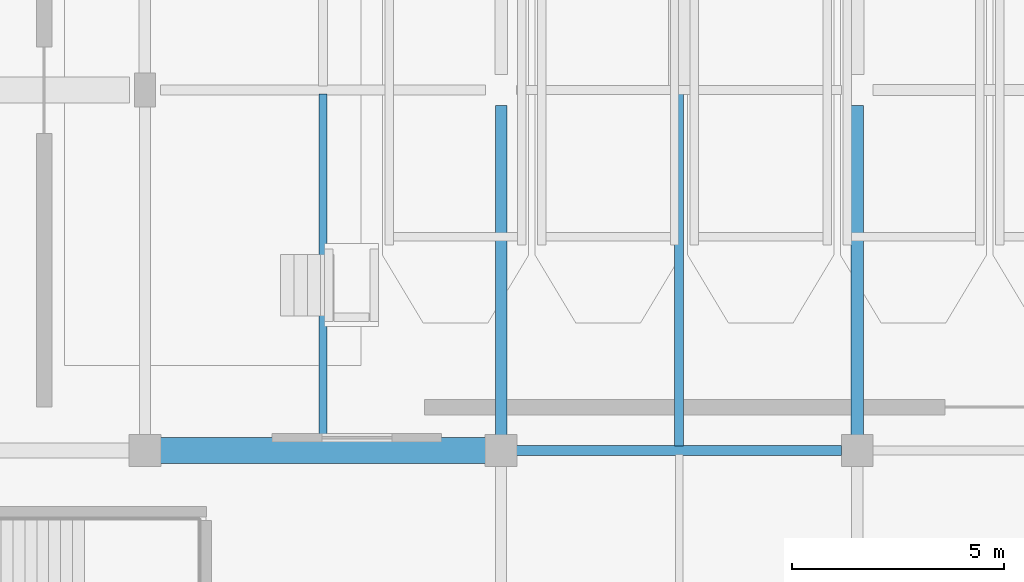
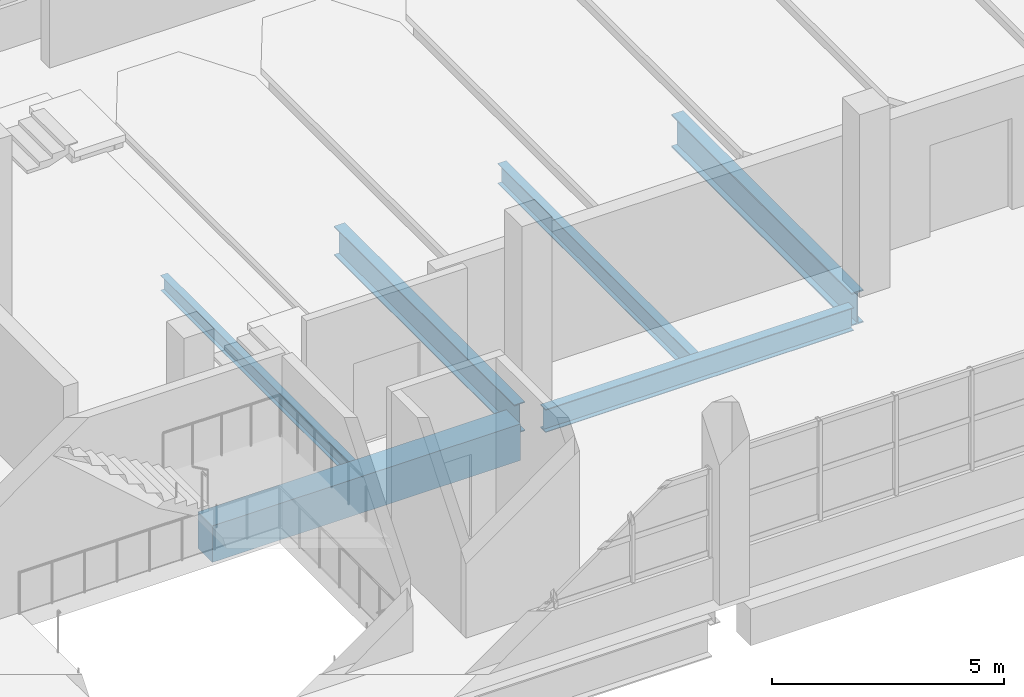
# One storey, part 54 of 117: 6 beams.
"""IFC4 building model written with IfcOpenShell, lengths in metres."""

from ifc_helpers import new_model, si_unit, direction, frame, origin, origin_2d, place, context, subcontext, project, spatial, rectangle, i_section, extrude, material, material_profile, profile_set, type_object, element, save


model = new_model("IFC4")

# Units and contexts
model_context = context("Model", 3, precision=1e-05, world=origin(), true_north=direction((0.0, 1.0)))
body_context = subcontext(model_context, "Body", "Model", "MODEL_VIEW")
ifc_project = project(units=[si_unit("LENGTHUNIT", "METRE"), si_unit("AREAUNIT", "SQUARE_METRE"), si_unit("VOLUMEUNIT", "CUBIC_METRE"), si_unit("PLANEANGLEUNIT", "RADIAN"), si_unit("MASSUNIT", "GRAM", prefix="KILO")], contexts=[model_context])

# Site, building, storey
site_placement = place(None, origin())
site = spatial("IfcSite", under=ifc_project, at=site_placement, CompositionType="ELEMENT")
building_placement = place(site_placement, origin())
building = spatial("IfcBuilding", under=site, at=building_placement, Name="Solvento Point Concert Hall", CompositionType="ELEMENT")
storey_placement = place(building_placement, frame((0.0, 0.0, 5.39990234375)))
storey = spatial("IfcBuildingStorey", under=building, at=storey_placement, Name="L01", CompositionType="ELEMENT", Elevation=5.39990234375)

# Beams
ifc_material_1 = material(Name="Structural Steel ASTM A992 Grade 50", Category="steel")
ifc_material_profile_1 = material_profile(ifc_material_1, i_section(OverallWidth=0.20947265625, OverallDepth=0.532958984375, WebThickness=0.01025390625, FlangeThickness=0.015625, at=origin_2d()), Name="W21X62")
ifc_profile_set_1 = profile_set([ifc_material_profile_1], Name="Structural Steel ASTM A992 Grade 50")
beam_type_1 = type_object("IfcBeamType", Name="Beam_W21X62", PredefinedType="BEAM", material=ifc_profile_set_1)
beam_1_placement = place(storey_placement, frame((171.0, 8.59912109375, -0.6904296875), z_axis=(0.0, 1.0, 0.0), x_axis=(-1.0, 0.0, 0.0)))
element("IfcBeam", 1, at=beam_1_placement, inside=storey, type_object=beam_type_1, Name="Secondary floor joist B-25 L01", PredefinedType="BEAM", context=body_context, shape_type="SweptSolid", body=[
    extrude(i_section(OverallWidth=0.20947265625, OverallDepth=0.532958984375, WebThickness=0.01025390625, FlangeThickness=0.015625, at=origin_2d()), origin(), (0.0, 0.0, 1.0), 8.308837890625),
])
ifc_material_2 = material(Name="Structural Steel ASTM A992 Grade 50", Category="steel")
ifc_material_profile_2 = material_profile(ifc_material_2, i_section(OverallWidth=0.228515625, OverallDepth=0.60791015625, WebThickness=0.01123046875, FlangeThickness=0.017333984375, at=origin_2d()), Name="W24X76")
ifc_profile_set_2 = profile_set([ifc_material_profile_2], Name="Structural Steel ASTM A992 Grade 50")
beam_type_2 = type_object("IfcBeamType", Name="Beam_W24X76", PredefinedType="BEAM", material=ifc_profile_set_2)
beam_2_placement = place(storey_placement, frame((167.1689453125, 8.5, -0.727783203125), z_axis=(1.0, 0.0, 0.0), x_axis=(0.0, 1.0, 0.0)))
element("IfcBeam", 2, at=beam_2_placement, inside=storey, type_object=beam_type_2, Name="Primary girder B-42 L01", PredefinedType="BEAM", context=body_context, shape_type="SweptSolid", body=[
    extrude(i_section(OverallWidth=0.228515625, OverallDepth=0.60791015625, WebThickness=0.01123046875, FlangeThickness=0.017333984375, at=origin_2d()), origin(), (0.0, 0.0, 1.0), 7.662109375),
])
ifc_material_3 = material(Name="Concrete C35/45", Category="concrete")
ifc_material_profile_3 = material_profile(ifc_material_3, rectangle(XDim=0.6201171875, YDim=0.9599609375, at=origin_2d()), Name="RC-BM-620X960")
ifc_profile_set_3 = profile_set([ifc_material_profile_3], Name="Concrete C35/45")
beam_type_3 = type_object("IfcBeamType", Name="Girder_RC_620x960", PredefinedType="USERDEFINED", material=ifc_profile_set_3)
beam_3_placement = place(storey_placement, frame((158.76904296875, 8.5, -0.90380859375), z_axis=(1.0, 0.0, 0.0), x_axis=(0.0, 1.0, 0.0)))
element("IfcBeam", 3, at=beam_3_placement, inside=storey, type_object=beam_type_3, Name="Primary girder B-69 L01", ObjectType="GIRDER", PredefinedType="USERDEFINED", context=body_context, shape_type="SweptSolid", body=[
    extrude(rectangle(XDim=0.6201171875, YDim=0.9599609375, at=origin_2d()), origin(), (0.0, 0.0, 1.0), 7.661865234375),
])
ifc_material_4 = material(Name="Structural Steel ASTM A992 Grade 50", Category="steel")
ifc_material_profile_4 = material_profile(ifc_material_4, i_section(OverallWidth=0.26806640625, OverallDepth=0.77001953125, WebThickness=0.015625, FlangeThickness=0.025390625, at=origin_2d()), Name="W30X132")
ifc_profile_set_4 = profile_set([ifc_material_profile_4], Name="Structural Steel ASTM A992 Grade 50")
beam_type_4 = type_object("IfcBeamType", Name="Girder_W30X132", PredefinedType="USERDEFINED", material=ifc_profile_set_4)
beam_4_placement = place(storey_placement, frame((166.800048828125, 8.868896484375, -0.808837890625), z_axis=(0.0, 1.0, 0.0), x_axis=(-1.0, 0.0, 0.0)))
element("IfcBeam", 4, at=beam_4_placement, inside=storey, type_object=beam_type_4, Name="Primary girder B-68 L01", ObjectType="GIRDER", PredefinedType="USERDEFINED", context=body_context, shape_type="SweptSolid", body=[
    extrude(i_section(OverallWidth=0.26806640625, OverallDepth=0.77001953125, WebThickness=0.015625, FlangeThickness=0.025390625, at=origin_2d()), origin(), (0.0, 0.0, 1.0), 7.76220703125),
])
ifc_material_5 = material(Name="Structural Steel ASTM A992 Grade 50", Category="steel")
ifc_material_profile_5 = material_profile(ifc_material_5, i_section(OverallWidth=0.2919921875, OverallDepth=0.85888671875, WebThickness=0.01708984375, FlangeThickness=0.031005859375, at=origin_2d()), Name="W33X169")
ifc_profile_set_5 = profile_set([ifc_material_profile_5], Name="Structural Steel ASTM A992 Grade 50")
beam_type_5 = type_object("IfcBeamType", Name="Girder_W33X169", PredefinedType="USERDEFINED", material=ifc_profile_set_5)
beam_5_placement = place(storey_placement, frame((175.199951171875, 8.868896484375, -0.853515625), z_axis=(0.0, 1.0, 0.0), x_axis=(-1.0, 0.0, 0.0)))
element("IfcBeam", 5, at=beam_5_placement, inside=storey, type_object=beam_type_5, Name="Primary girder B-33 L01", ObjectType="GIRDER", PredefinedType="USERDEFINED", context=body_context, shape_type="SweptSolid", body=[
    extrude(i_section(OverallWidth=0.2919921875, OverallDepth=0.85888671875, WebThickness=0.01708984375, FlangeThickness=0.031005859375, at=origin_2d()), origin(), (0.0, 0.0, 1.0), 7.76220703125),
])
ifc_material_6 = material(Name="Structural Steel ASTM A992 Grade 50", Category="steel")
ifc_material_profile_6 = material_profile(ifc_material_6, i_section(OverallWidth=0.177490234375, OverallDepth=0.403076171875, WebThickness=0.007568359375, FlangeThickness=0.010986328125, at=origin_2d()), Name="W16X36")
ifc_profile_set_6 = profile_set([ifc_material_profile_6], Name="Structural Steel ASTM A992 Grade 50")
beam_type_6 = type_object("IfcBeamType", Name="Joist_W16X36", PredefinedType="JOIST", material=ifc_profile_set_6)
beam_6_placement = place(storey_placement, frame((162.60009765625, 8.794921875, -0.62548828125), z_axis=(0.0, 1.0, 0.0), x_axis=(-1.0, 0.0, 0.0)))
element("IfcBeam", 6, at=beam_6_placement, inside=storey, type_object=beam_type_6, Name="Secondary floor joist B-30 L01", PredefinedType="JOIST", context=body_context, shape_type="SweptSolid", body=[
    extrude(i_section(OverallWidth=0.177490234375, OverallDepth=0.403076171875, WebThickness=0.007568359375, FlangeThickness=0.010986328125, at=origin_2d()), origin(), (0.0, 0.0, 1.0), 8.10595703125),
])

save(model, "model.ifc")
